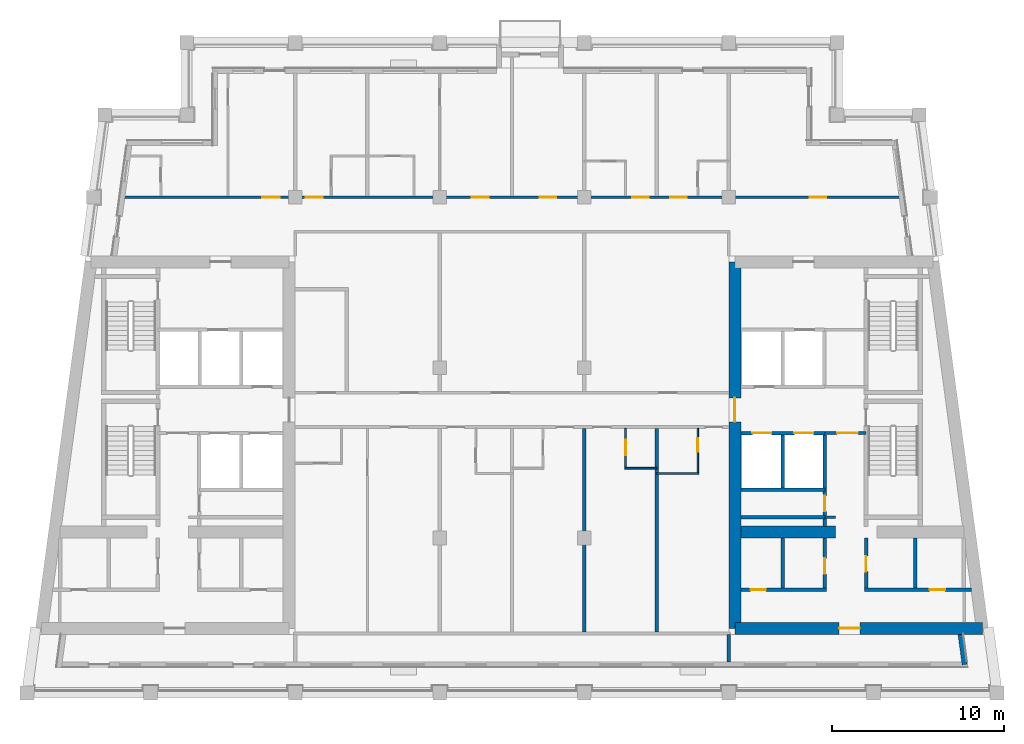
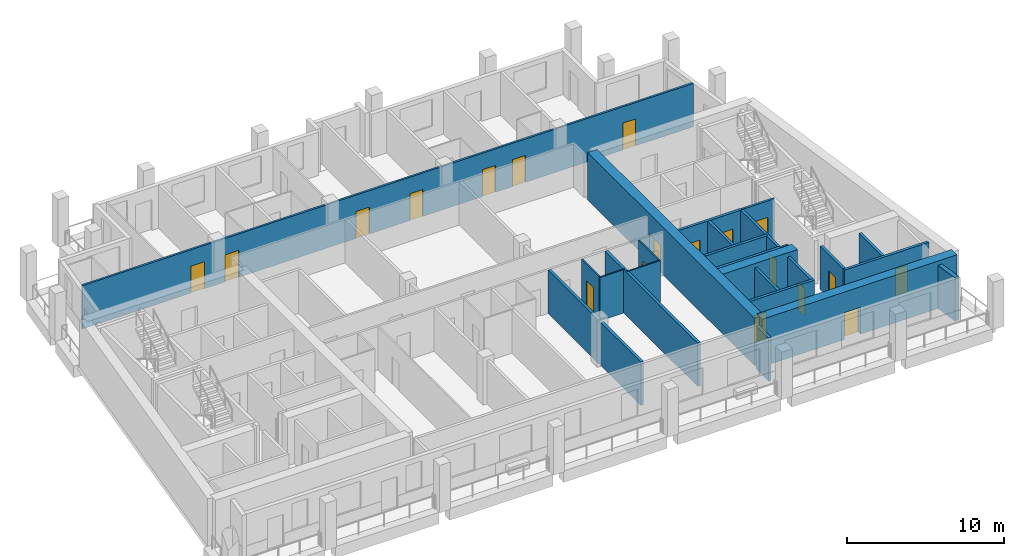
# One storey, part 5 of 13: 25 walls, 19 doors, 19 openings.
"""IFC4 building model written with IfcOpenShell, lengths in metres."""

from ifc_helpers import new_model, si_unit, direction, frame, frame_2d, origin, place, context, subcontext, project, spatial, rectangle, extrude, material, layer, layer_set, type_object, element, fill, save


model = new_model("IFC4")

# Units and contexts
model_context = context("Model", 3, precision=1e-05, world=origin(), true_north=direction((0.0, 1.0)))
body_context = subcontext(model_context, "Body", "Model", "MODEL_VIEW")
ifc_project = project(units=[si_unit("LENGTHUNIT", "METRE"), si_unit("AREAUNIT", "SQUARE_METRE"), si_unit("VOLUMEUNIT", "CUBIC_METRE"), si_unit("PLANEANGLEUNIT", "RADIAN"), si_unit("MASSUNIT", "GRAM", prefix="KILO")], contexts=[model_context])

# Site, building, storey
site_placement = place(None, origin())
site = spatial("IfcSite", under=ifc_project, at=site_placement, CompositionType="ELEMENT")
building_placement = place(site_placement, origin())
building = spatial("IfcBuilding", under=site, at=building_placement, Name="Candeia Pilgrim Tower and Theatre", CompositionType="ELEMENT")
storey_placement = place(building_placement, frame((0.0, 0.0, 277.5)))
storey = spatial("IfcBuildingStorey", under=building, at=storey_placement, Name="L67", CompositionType="ELEMENT", Elevation=277.5)

# Wall, opening, door
ifc_material_1 = material(Name="Concrete C40/50", Category="concrete")
ifc_layer_1 = layer(ifc_material_1, 0.699951171875)
ifc_layer_set_1 = layer_set([ifc_layer_1], Name="Core wall 700 C40/50")
wall_type_1 = type_object("IfcWallType", Name="Core wall 700 C40/50", PredefinedType="SHEAR", material=ifc_layer_set_1)
wall_1_placement = place(storey_placement, frame((140.73046875, 110.75, 0.0), z_axis=(0.0, 0.0, 1.0), x_axis=(-1.0, 0.0, 0.0)))
wall_1 = element("IfcWall", 1, at=wall_1_placement, inside=storey, type_object=wall_type_1, Name="Core wall E3", PredefinedType="SHEAR", context=body_context, shape_type="SweptSolid", body=[
    extrude(rectangle(XDim=14.38037109375, YDim=0.699951171875, at=frame_2d((7.190185546875, 0.0))), origin(), (0.0, 0.0, 1.0), 3.699951171875),
])
opening_1_placement = place(wall_1_placement, frame((7.1201171875, 0.0, 0.0)))
opening_1 = element("IfcOpeningElement", 2, at=opening_1_placement, cuts=wall_1, Name="Opening L67-D047", PredefinedType="OPENING", context=body_context, shape_type="SweptSolid", body=[
    extrude(rectangle(XDim=1.199951171875, YDim=2.10009765625, at=frame_2d((0.60009765625, 1.050048828125))), frame((0.0, 0.35986328125, 0.0), z_axis=(0.0, -1.0, 0.0), x_axis=(1.0, 0.0, 0.0)), (0.0, 0.0, 1.0), 0.719970703125),
])
ifc_material_2 = material(Name="Steel fire door set", Category="steel")
door_type_1 = type_object("IfcDoorType", Name="D-1200-FD60", OperationType="NOTDEFINED", PredefinedType="DOOR", material=ifc_material_2)
door_1_placement = place(opening_1_placement, origin())
door_1 = element("IfcDoor", 3, at=door_1_placement, inside=storey, type_object=door_type_1, Name="Door L67-D047", OperationType="SINGLE_SWING_RIGHT", OverallHeight=2.10009765625, OverallWidth=1.199951171875, PredefinedType="DOOR", context=body_context, shape_type="SweptSolid", body=[
    extrude(rectangle(XDim=1.199951171875, YDim=2.10009765625, at=frame_2d((0.60009765625, 1.050048828125))), frame((0.0, 0.02490234375, 0.0), z_axis=(0.0, -1.0, 0.0), x_axis=(1.0, 0.0, 0.0)), (0.0, 0.0, 1.0), 0.050048828125),
])
fill(opening_1, door_1)

wall_2_placement = place(storey_placement, frame((126.35009765625, 110.75, 0.0), z_axis=(0.0, 0.0, 1.0), x_axis=(0.0, 1.0, 0.0)))
wall_2 = element("IfcWall", 4, at=wall_2_placement, inside=storey, type_object=wall_type_1, Name="Core wall E4", PredefinedType="SHEAR", context=body_context, shape_type="SweptSolid", body=[
    extrude(rectangle(XDim=21.300048828125, YDim=0.699951171875, at=frame_2d((10.64990234375, 0.0))), origin(), (0.0, 0.0, 1.0), 3.699951171875),
])
opening_2_placement = place(wall_2_placement, frame((12.0, 0.0, 0.0)))
opening_2 = element("IfcOpeningElement", 5, at=opening_2_placement, cuts=wall_2, Name="Opening L67-D051", PredefinedType="OPENING", context=body_context, shape_type="SweptSolid", body=[
    extrude(rectangle(XDim=1.39990234375, YDim=2.10009765625, at=frame_2d((0.699951171875, 1.050048828125))), frame((0.0, 0.35986328125, 0.0), z_axis=(0.0, -1.0, 0.0), x_axis=(1.0, 0.0, 0.0)), (0.0, 0.0, 1.0), 0.719970703125),
])
door_type_2 = type_object("IfcDoorType", Name="D-1400-FD60", OperationType="NOTDEFINED", PredefinedType="DOOR", material=ifc_material_2)
door_2_placement = place(opening_2_placement, origin())
door_2 = element("IfcDoor", 6, at=door_2_placement, inside=storey, type_object=door_type_2, Name="Door L67-D051", OperationType="SINGLE_SWING_RIGHT", OverallHeight=2.10009765625, OverallWidth=1.39990234375, PredefinedType="DOOR", context=body_context, shape_type="SweptSolid", body=[
    extrude(rectangle(XDim=1.39990234375, YDim=2.10009765625, at=frame_2d((0.699951171875, 1.050048828125))), frame((0.0, 0.02490234375, 0.0), z_axis=(0.0, -1.0, 0.0), x_axis=(1.0, 0.0, 0.0)), (0.0, 0.0, 1.0), 0.050048828125),
])
fill(opening_2, door_2)

# Walls
wall_3_placement = place(storey_placement, frame((126.699951171875, 116.35009765625, 0.0), z_axis=(0.0, 0.0, 1.0), x_axis=(1.0, 0.0, 0.0)))
element("IfcWall", 7, at=wall_3_placement, inside=storey, type_object=wall_type_1, Name="Core wall E5", PredefinedType="SHEAR", context=body_context, shape_type="SweptSolid", body=[
    extrude(rectangle(XDim=5.5, YDim=0.699951171875, at=frame_2d((2.75, 0.0))), origin(), (0.0, 0.0, 1.0), 3.699951171875),
])
ifc_material_3 = material(Name="Ceramic block masonry", Category="masonry")
ifc_layer_2 = layer(ifc_material_3, 0.300048828125)
ifc_layer_set_2 = layer_set([ifc_layer_2], Name="EW1 glazing-line wall 300")
wall_type_2 = type_object("IfcWallType", Name="EW1 glazing-line wall 300", PredefinedType="SOLIDWALL", material=ifc_layer_set_2)
wall_4_placement = place(storey_placement, frame((139.701416015625, 108.64990234375, 0.0), z_axis=(0.0, 0.0, 1.0), x_axis=(-0.133422458344, 0.991059255347, 0.0)))
element("IfcWall", 8, at=wall_4_placement, inside=storey, type_object=wall_type_2, Name="External wall L67-2.0", PredefinedType="SOLIDWALL", context=body_context, shape_type="SweptSolid", body=[
    extrude(rectangle(XDim=1.765869140625, YDim=0.300048828125, at=frame_2d((0.8828125, 0.0))), origin(), (0.0, 0.0, 1.0), 3.3798828125),
])
ifc_material_4 = material(Name="Gypsum board partition on steel studs", Category="steel")
ifc_layer_3 = layer(ifc_material_4, 0.10009765625)
ifc_layer_set_3 = layer_set([ifc_layer_3], Name="PW-100 room partition")
wall_type_3 = type_object("IfcWallType", Name="PW-100 room partition", PredefinedType="PARTITIONING", material=ifc_layer_set_3)
wall_5_placement = place(storey_placement, frame((121.800048828125, 119.75, 0.0), z_axis=(0.0, 0.0, 1.0), x_axis=(1.0, 0.0, 0.0)))
element("IfcWall", 9, at=wall_5_placement, inside=storey, type_object=wall_type_3, Name="Room partition L67-015", PredefinedType="PARTITIONING", context=body_context, shape_type="SweptSolid", body=[
    extrude(rectangle(XDim=2.449951171875, YDim=0.10009765625, at=frame_2d((1.22509765625, 0.0))), origin(), (0.0, 0.0, 1.0), 3.3798828125),
])
wall_6_placement = place(storey_placement, frame((119.949951171875, 120.050048828125, 0.0), z_axis=(0.0, 0.0, 1.0), x_axis=(1.0, 0.0, 0.0)))
element("IfcWall", 10, at=wall_6_placement, inside=storey, type_object=wall_type_3, Name="Room partition L67-017", PredefinedType="PARTITIONING", context=body_context, shape_type="SweptSolid", body=[
    extrude(rectangle(XDim=1.85009765625, YDim=0.10009765625, at=frame_2d((0.925048828125, 0.0))), origin(), (0.0, 0.0, 1.0), 3.3798828125),
])

# Wall, opening, door
wall_7_placement = place(storey_placement, frame((120.0, 120.10009765625, 0.0), z_axis=(0.0, 0.0, 1.0), x_axis=(0.0, 1.0, 0.0)))
wall_7 = element("IfcWall", 11, at=wall_7_placement, inside=storey, type_object=wall_type_3, Name="Room partition L67-080", PredefinedType="PARTITIONING", context=body_context, shape_type="SweptSolid", body=[
    extrude(rectangle(XDim=2.27490234375, YDim=0.10009765625, at=frame_2d((1.137451171875, 0.0))), origin(), (0.0, 0.0, 1.0), 3.3798828125),
])
opening_3_placement = place(wall_7_placement, frame((0.699951171875, 0.0, 0.0)))
opening_3 = element("IfcOpeningElement", 12, at=opening_3_placement, cuts=wall_7, Name="Opening L67-D025", PredefinedType="OPENING", context=body_context, shape_type="SweptSolid", body=[
    extrude(rectangle(XDim=0.89990234375, YDim=2.10009765625, at=frame_2d((0.449951171875, 1.050048828125))), frame((0.0, 0.06005859375, 0.0), z_axis=(0.0, -1.0, 0.0), x_axis=(1.0, 0.0, 0.0)), (0.0, 0.0, 1.0), 0.1201171875),
])
ifc_material_5 = material(Name="Timber door leaf", Category="wood")
door_type_3 = type_object("IfcDoorType", Name="D-900", OperationType="NOTDEFINED", PredefinedType="DOOR", material=ifc_material_5)
door_3_placement = place(opening_3_placement, origin())
door_3 = element("IfcDoor", 13, at=door_3_placement, inside=storey, type_object=door_type_3, Name="Door L67-D025", OperationType="SINGLE_SWING_RIGHT", OverallHeight=2.10009765625, OverallWidth=0.89990234375, PredefinedType="DOOR", context=body_context, shape_type="SweptSolid", body=[
    extrude(rectangle(XDim=0.89990234375, YDim=2.10009765625, at=frame_2d((0.449951171875, 1.050048828125))), frame((0.0, 0.02490234375, 0.0), z_axis=(0.0, -1.0, 0.0), x_axis=(1.0, 0.0, 0.0)), (0.0, 0.0, 1.0), 0.050048828125),
])
fill(opening_3, door_3)

wall_8_placement = place(storey_placement, frame((124.199951171875, 119.800048828125, 0.0), z_axis=(0.0, 0.0, 1.0), x_axis=(0.0, 1.0, 0.0)))
wall_8 = element("IfcWall", 14, at=wall_8_placement, inside=storey, type_object=wall_type_3, Name="Room partition L67-084", PredefinedType="PARTITIONING", context=body_context, shape_type="SweptSolid", body=[
    extrude(rectangle(XDim=2.574951171875, YDim=0.10009765625, at=frame_2d((1.28759765625, 0.0))), origin(), (0.0, 0.0, 1.0), 3.3798828125),
])
opening_4_placement = place(wall_8_placement, frame((1.199951171875, 0.0, 0.0)))
opening_4 = element("IfcOpeningElement", 15, at=opening_4_placement, cuts=wall_8, Name="Opening L67-D027", PredefinedType="OPENING", context=body_context, shape_type="SweptSolid", body=[
    extrude(rectangle(XDim=0.800048828125, YDim=2.10009765625, at=frame_2d((0.39990234375, 1.050048828125))), frame((0.0, 0.06005859375, 0.0), z_axis=(0.0, -1.0, 0.0), x_axis=(1.0, 0.0, 0.0)), (0.0, 0.0, 1.0), 0.1201171875),
])
door_type_4 = type_object("IfcDoorType", Name="D-800", OperationType="NOTDEFINED", PredefinedType="DOOR", material=ifc_material_5)
door_4_placement = place(opening_4_placement, origin())
door_4 = element("IfcDoor", 16, at=door_4_placement, inside=storey, type_object=door_type_4, Name="Door L67-D027", OperationType="SINGLE_SWING_RIGHT", OverallHeight=2.10009765625, OverallWidth=0.800048828125, PredefinedType="DOOR", context=body_context, shape_type="SweptSolid", body=[
    extrude(rectangle(XDim=0.800048828125, YDim=2.10009765625, at=frame_2d((0.39990234375, 1.050048828125))), frame((0.0, 0.02490234375, 0.0), z_axis=(0.0, -1.0, 0.0), x_axis=(1.0, 0.0, 0.0)), (0.0, 0.0, 1.0), 0.050048828125),
])
fill(opening_4, door_4)

# Wall
ifc_layer_4 = layer(ifc_material_4, 0.14990234375)
ifc_layer_set_4 = layer_set([ifc_layer_4], Name="PW-150 lobby wall")
wall_type_4 = type_object("IfcWallType", Name="PW-150 lobby wall", PredefinedType="PARTITIONING", material=ifc_layer_set_4)
wall_9_placement = place(storey_placement, frame((131.572998046875, 117.199951171875, 0.0), z_axis=(0.0, 0.0, 1.0), x_axis=(1.0, 0.0, 0.0)))
element("IfcWall", 17, at=wall_9_placement, inside=storey, type_object=wall_type_4, Name="Lobby wall L67-009", PredefinedType="PARTITIONING", context=body_context, shape_type="SweptSolid", body=[
    extrude(rectangle(XDim=0.626953125, YDim=0.14990234375, at=frame_2d((0.3134765625, 0.0))), origin(), (0.0, 0.0, 1.0), 3.3798828125),
])

# Wall, opening, door
wall_10_placement = place(storey_placement, frame((131.572998046875, 122.10009765625, 0.0), z_axis=(0.0, 0.0, 1.0), x_axis=(1.0, 0.0, 0.0)))
wall_10 = element("IfcWall", 18, at=wall_10_placement, inside=storey, type_object=wall_type_4, Name="Lobby wall L67-022", PredefinedType="PARTITIONING", context=body_context, shape_type="SweptSolid", body=[
    extrude(rectangle(XDim=2.39990234375, YDim=0.14990234375, at=frame_2d((1.199951171875, 0.0))), origin(), (0.0, 0.0, 1.0), 3.3798828125),
])
opening_5_placement = place(wall_10_placement, frame((0.72509765625, 0.0, 0.0)))
opening_5 = element("IfcOpeningElement", 19, at=opening_5_placement, cuts=wall_10, Name="Opening L67-D009", PredefinedType="OPENING", context=body_context, shape_type="SweptSolid", body=[
    extrude(rectangle(XDim=1.199951171875, YDim=2.10009765625, at=frame_2d((0.60009765625, 1.050048828125))), frame((0.0, 0.0849609375, 0.0), z_axis=(0.0, -1.0, 0.0), x_axis=(1.0, 0.0, 0.0)), (0.0, 0.0, 1.0), 0.169921875),
])
door_5_placement = place(opening_5_placement, origin())
door_5 = element("IfcDoor", 20, at=door_5_placement, inside=storey, type_object=door_type_1, Name="Door L67-D009", OperationType="SINGLE_SWING_RIGHT", OverallHeight=2.10009765625, OverallWidth=1.199951171875, PredefinedType="DOOR", context=body_context, shape_type="SweptSolid", body=[
    extrude(rectangle(XDim=1.199951171875, YDim=2.10009765625, at=frame_2d((0.60009765625, 1.050048828125))), frame((0.0, 0.02490234375, 0.0), z_axis=(0.0, -1.0, 0.0), x_axis=(1.0, 0.0, 0.0)), (0.0, 0.0, 1.0), 0.050048828125),
])
fill(opening_5, door_5)

# Wall, openings, doors
ifc_layer_5 = layer(ifc_material_4, 0.14990234375)
ifc_layer_set_5 = layer_set([ifc_layer_5], Name="PW-150 unit wall")
wall_type_5 = type_object("IfcWallType", Name="PW-150 unit wall", PredefinedType="PARTITIONING", material=ifc_layer_set_5)
wall_11_placement = place(storey_placement, frame((90.89453125, 135.800048828125, 0.0), z_axis=(0.0, 0.0, 1.0), x_axis=(1.0, 0.0, 0.0)))
wall_11 = element("IfcWall", 21, at=wall_11_placement, inside=storey, type_object=wall_type_5, Name="Unit wall L67-039", PredefinedType="PARTITIONING", context=body_context, shape_type="SweptSolid", body=[
    extrude(rectangle(XDim=45.010986328125, YDim=0.14990234375, at=frame_2d((22.50537109375, 0.0))), origin(), (0.0, 0.0, 1.0), 3.3798828125),
])
opening_6_placement = place(wall_11_placement, frame((8.00537109375, 0.0, 0.0)))
opening_6 = element("IfcOpeningElement", 22, at=opening_6_placement, cuts=wall_11, Name="Opening L67-D028", PredefinedType="OPENING", context=body_context, shape_type="SweptSolid", body=[
    extrude(rectangle(XDim=1.0, YDim=2.10009765625, at=frame_2d((0.5, 1.050048828125))), frame((0.0, 0.0849609375, 0.0), z_axis=(0.0, -1.0, 0.0), x_axis=(1.0, 0.0, 0.0)), (0.0, 0.0, 1.0), 0.169921875),
])
opening_7_placement = place(wall_11_placement, frame((10.515380859375, 0.0, 0.0)))
opening_7 = element("IfcOpeningElement", 23, at=opening_7_placement, cuts=wall_11, Name="Opening L67-D031", PredefinedType="OPENING", context=body_context, shape_type="SweptSolid", body=[
    extrude(rectangle(XDim=1.0, YDim=2.10009765625, at=frame_2d((0.5, 1.050048828125))), frame((0.0, 0.0849609375, 0.0), z_axis=(0.0, -1.0, 0.0), x_axis=(1.0, 0.0, 0.0)), (0.0, 0.0, 1.0), 0.169921875),
])
opening_8_placement = place(wall_11_placement, frame((20.155517578125, 0.0, 0.0)))
opening_8 = element("IfcOpeningElement", 24, at=opening_8_placement, cuts=wall_11, Name="Opening L67-D033", PredefinedType="OPENING", context=body_context, shape_type="SweptSolid", body=[
    extrude(rectangle(XDim=1.0, YDim=2.10009765625, at=frame_2d((0.5, 1.050048828125))), frame((0.0, 0.0849609375, 0.0), z_axis=(0.0, -1.0, 0.0), x_axis=(1.0, 0.0, 0.0)), (0.0, 0.0, 1.0), 0.169921875),
])
opening_9_placement = place(wall_11_placement, frame((24.13037109375, 0.0, 0.0)))
opening_9 = element("IfcOpeningElement", 25, at=opening_9_placement, cuts=wall_11, Name="Opening L67-D036", PredefinedType="OPENING", context=body_context, shape_type="SweptSolid", body=[
    extrude(rectangle(XDim=0.949951171875, YDim=2.10009765625, at=frame_2d((0.47509765625, 1.050048828125))), frame((0.0, 0.0849609375, 0.0), z_axis=(0.0, -1.0, 0.0), x_axis=(1.0, 0.0, 0.0)), (0.0, 0.0, 1.0), 0.169921875),
])
opening_10_placement = place(wall_11_placement, frame((29.492431640625, 0.0, 0.0)))
opening_10 = element("IfcOpeningElement", 26, at=opening_10_placement, cuts=wall_11, Name="Opening L67-D037", PredefinedType="OPENING", context=body_context, shape_type="SweptSolid", body=[
    extrude(rectangle(XDim=0.949951171875, YDim=2.10009765625, at=frame_2d((0.47509765625, 1.050048828125))), frame((0.0, 0.0849609375, 0.0), z_axis=(0.0, -1.0, 0.0), x_axis=(1.0, 0.0, 0.0)), (0.0, 0.0, 1.0), 0.169921875),
])
opening_11_placement = place(wall_11_placement, frame((31.705322265625, 0.0, 0.0)))
opening_11 = element("IfcOpeningElement", 27, at=opening_11_placement, cuts=wall_11, Name="Opening L67-D039", PredefinedType="OPENING", context=body_context, shape_type="SweptSolid", body=[
    extrude(rectangle(XDim=0.949951171875, YDim=2.10009765625, at=frame_2d((0.47509765625, 1.050048828125))), frame((0.0, 0.0849609375, 0.0), z_axis=(0.0, -1.0, 0.0), x_axis=(1.0, 0.0, 0.0)), (0.0, 0.0, 1.0), 0.169921875),
])
opening_12_placement = place(wall_11_placement, frame((39.814453125, 0.0, 0.0)))
opening_12 = element("IfcOpeningElement", 28, at=opening_12_placement, cuts=wall_11, Name="Opening L67-D041", PredefinedType="OPENING", context=body_context, shape_type="SweptSolid", body=[
    extrude(rectangle(XDim=0.949951171875, YDim=2.10009765625, at=frame_2d((0.47509765625, 1.050048828125))), frame((0.0, 0.0849609375, 0.0), z_axis=(0.0, -1.0, 0.0), x_axis=(1.0, 0.0, 0.0)), (0.0, 0.0, 1.0), 0.169921875),
])
door_type_5 = type_object("IfcDoorType", Name="D-1000-FD30S", OperationType="NOTDEFINED", PredefinedType="DOOR", material=ifc_material_2)
door_6_placement = place(opening_6_placement, origin())
door_6 = element("IfcDoor", 29, at=door_6_placement, inside=storey, type_object=door_type_5, Name="Door L67-D028", OperationType="SINGLE_SWING_LEFT", OverallHeight=2.10009765625, OverallWidth=1.0, PredefinedType="DOOR", context=body_context, shape_type="SweptSolid", body=[
    extrude(rectangle(XDim=1.0, YDim=2.10009765625, at=frame_2d((0.5, 1.050048828125))), frame((0.0, 0.02490234375, 0.0), z_axis=(0.0, -1.0, 0.0), x_axis=(1.0, 0.0, 0.0)), (0.0, 0.0, 1.0), 0.050048828125),
])
fill(opening_6, door_6)
door_7_placement = place(opening_7_placement, origin())
door_7 = element("IfcDoor", 30, at=door_7_placement, inside=storey, type_object=door_type_5, Name="Door L67-D031", OperationType="SINGLE_SWING_RIGHT", OverallHeight=2.10009765625, OverallWidth=1.0, PredefinedType="DOOR", context=body_context, shape_type="SweptSolid", body=[
    extrude(rectangle(XDim=1.0, YDim=2.10009765625, at=frame_2d((0.5, 1.050048828125))), frame((0.0, 0.02490234375, 0.0), z_axis=(0.0, -1.0, 0.0), x_axis=(1.0, 0.0, 0.0)), (0.0, 0.0, 1.0), 0.050048828125),
])
fill(opening_7, door_7)
door_8_placement = place(opening_8_placement, origin())
door_8 = element("IfcDoor", 31, at=door_8_placement, inside=storey, type_object=door_type_5, Name="Door L67-D033", OperationType="SINGLE_SWING_RIGHT", OverallHeight=2.10009765625, OverallWidth=1.0, PredefinedType="DOOR", context=body_context, shape_type="SweptSolid", body=[
    extrude(rectangle(XDim=1.0, YDim=2.10009765625, at=frame_2d((0.5, 1.050048828125))), frame((0.0, 0.02490234375, 0.0), z_axis=(0.0, -1.0, 0.0), x_axis=(1.0, 0.0, 0.0)), (0.0, 0.0, 1.0), 0.050048828125),
])
fill(opening_8, door_8)
door_type_6 = type_object("IfcDoorType", Name="D-950-FD30S", OperationType="NOTDEFINED", PredefinedType="DOOR", material=ifc_material_2)
door_9_placement = place(opening_9_placement, origin())
door_9 = element("IfcDoor", 32, at=door_9_placement, inside=storey, type_object=door_type_6, Name="Door L67-D036", OperationType="SINGLE_SWING_LEFT", OverallHeight=2.10009765625, OverallWidth=0.949951171875, PredefinedType="DOOR", context=body_context, shape_type="SweptSolid", body=[
    extrude(rectangle(XDim=0.949951171875, YDim=2.10009765625, at=frame_2d((0.47509765625, 1.050048828125))), frame((0.0, 0.02490234375, 0.0), z_axis=(0.0, -1.0, 0.0), x_axis=(1.0, 0.0, 0.0)), (0.0, 0.0, 1.0), 0.050048828125),
])
fill(opening_9, door_9)
door_10_placement = place(opening_10_placement, origin())
door_10 = element("IfcDoor", 33, at=door_10_placement, inside=storey, type_object=door_type_6, Name="Door L67-D037", OperationType="SINGLE_SWING_RIGHT", OverallHeight=2.10009765625, OverallWidth=0.949951171875, PredefinedType="DOOR", context=body_context, shape_type="SweptSolid", body=[
    extrude(rectangle(XDim=0.949951171875, YDim=2.10009765625, at=frame_2d((0.47509765625, 1.050048828125))), frame((0.0, 0.02490234375, 0.0), z_axis=(0.0, -1.0, 0.0), x_axis=(1.0, 0.0, 0.0)), (0.0, 0.0, 1.0), 0.050048828125),
])
fill(opening_10, door_10)
door_11_placement = place(opening_11_placement, origin())
door_11 = element("IfcDoor", 34, at=door_11_placement, inside=storey, type_object=door_type_6, Name="Door L67-D039", OperationType="SINGLE_SWING_RIGHT", OverallHeight=2.10009765625, OverallWidth=0.949951171875, PredefinedType="DOOR", context=body_context, shape_type="SweptSolid", body=[
    extrude(rectangle(XDim=0.949951171875, YDim=2.10009765625, at=frame_2d((0.47509765625, 1.050048828125))), frame((0.0, 0.02490234375, 0.0), z_axis=(0.0, -1.0, 0.0), x_axis=(1.0, 0.0, 0.0)), (0.0, 0.0, 1.0), 0.050048828125),
])
fill(opening_11, door_11)
door_12_placement = place(opening_12_placement, origin())
door_12 = element("IfcDoor", 35, at=door_12_placement, inside=storey, type_object=door_type_6, Name="Door L67-D041", OperationType="SINGLE_SWING_RIGHT", OverallHeight=2.10009765625, OverallWidth=0.949951171875, PredefinedType="DOOR", context=body_context, shape_type="SweptSolid", body=[
    extrude(rectangle(XDim=0.949951171875, YDim=2.10009765625, at=frame_2d((0.47509765625, 1.050048828125))), frame((0.0, 0.02490234375, 0.0), z_axis=(0.0, -1.0, 0.0), x_axis=(1.0, 0.0, 0.0)), (0.0, 0.0, 1.0), 0.050048828125),
])
fill(opening_12, door_12)

# Walls
ifc_layer_6 = layer(ifc_material_4, 0.199951171875)
ifc_layer_set_6 = layer_set([ifc_layer_6], Name="PW-200 party wall")
wall_type_6 = type_object("IfcWallType", Name="PW-200 party wall", PredefinedType="PARTITIONING", material=ifc_layer_set_6)
for number, where, z_axis, x_axis, name in (
    (36, (117.60009765625, 110.550048828125, 0.0), (0.0, 0.0, 1.0), (0.0, 1.0, 0.0), "Party wall L67-077"),
    (37, (121.800048828125, 110.550048828125, 0.0), (0.0, 0.0, 1.0), (0.0, 1.0, 0.0), "Party wall L67-082"),
):
    element("IfcWall", number, at=place(storey_placement, frame(where, z_axis=z_axis, x_axis=x_axis)), inside=storey, type_object=wall_type_6, Name=name, PredefinedType="PARTITIONING", context=body_context, shape_type="SweptSolid", body=[
        extrude(rectangle(XDim=11.824951171875, YDim=0.199951171875, at=frame_2d((5.91259765625, 0.0))), origin(), (0.0, 0.0, 1.0), 3.3798828125),
    ])
wall_12_placement = place(storey_placement, frame((126.0, 108.7900390625, 0.0), z_axis=(0.0, 0.0, 1.0), x_axis=(0.0, 1.0, 0.0)))
element("IfcWall", 38, at=wall_12_placement, inside=storey, type_object=wall_type_6, Name="Party wall L67-086", PredefinedType="PARTITIONING", context=body_context, shape_type="SweptSolid", body=[
    extrude(rectangle(XDim=1.60986328125, YDim=0.199951171875, at=frame_2d((0.804931640625, 0.0))), origin(), (0.0, 0.0, 1.0), 3.3798828125),
])

# Wall, opening, door
ifc_layer_7 = layer(ifc_material_1, 0.199951171875)
ifc_layer_set_7 = layer_set([ifc_layer_7], Name="SW-200 shaft wall")
wall_type_7 = type_object("IfcWallType", Name="SW-200 shaft wall", PredefinedType="PARTITIONING", material=ifc_layer_set_7)
wall_13_placement = place(storey_placement, frame((126.699951171875, 113.0, 0.0), z_axis=(0.0, 0.0, 1.0), x_axis=(1.0, 0.0, 0.0)))
wall_13 = element("IfcWall", 39, at=wall_13_placement, inside=storey, type_object=wall_type_7, Name="Shaft wall L67-004", PredefinedType="PARTITIONING", context=body_context, shape_type="SweptSolid", body=[
    extrude(rectangle(XDim=4.97314453125, YDim=0.199951171875, at=frame_2d((2.486572265625, 0.0))), origin(), (0.0, 0.0, 1.0), 3.3798828125),
])
opening_13_placement = place(wall_13_placement, frame((0.55908203125, 0.0, 0.0)))
opening_13 = element("IfcOpeningElement", 40, at=opening_13_placement, cuts=wall_13, Name="Opening L67-D016", PredefinedType="OPENING", context=body_context, shape_type="SweptSolid", body=[
    extrude(rectangle(XDim=0.89990234375, YDim=2.10009765625, at=frame_2d((0.449951171875, 1.050048828125))), frame((0.0, 0.10986328125, 0.0), z_axis=(0.0, -1.0, 0.0), x_axis=(1.0, 0.0, 0.0)), (0.0, 0.0, 1.0), 0.219970703125),
])
door_type_7 = type_object("IfcDoorType", Name="D-900-FD60", OperationType="NOTDEFINED", PredefinedType="DOOR", material=ifc_material_2)
door_13_placement = place(opening_13_placement, origin())
door_13 = element("IfcDoor", 41, at=door_13_placement, inside=storey, type_object=door_type_7, Name="Door L67-D016", OperationType="SINGLE_SWING_LEFT", OverallHeight=2.10009765625, OverallWidth=0.89990234375, PredefinedType="DOOR", context=body_context, shape_type="SweptSolid", body=[
    extrude(rectangle(XDim=0.89990234375, YDim=2.10009765625, at=frame_2d((0.449951171875, 1.050048828125))), frame((0.0, 0.02490234375, 0.0), z_axis=(0.0, -1.0, 0.0), x_axis=(1.0, 0.0, 0.0)), (0.0, 0.0, 1.0), 0.050048828125),
])
fill(opening_13, door_13)

wall_14_placement = place(storey_placement, frame((133.873046875, 113.0, 0.0), z_axis=(0.0, 0.0, 1.0), x_axis=(1.0, 0.0, 0.0)))
wall_14 = element("IfcWall", 42, at=wall_14_placement, inside=storey, type_object=wall_type_7, Name="Shaft wall L67-005", PredefinedType="PARTITIONING", context=body_context, shape_type="SweptSolid", body=[
    extrude(rectangle(XDim=6.2314453125, YDim=0.199951171875, at=frame_2d((3.11572265625, 0.0))), origin(), (0.0, 0.0, 1.0), 3.3798828125),
])
opening_14_placement = place(wall_14_placement, frame((3.800048828125, 0.0, 0.0)))
opening_14 = element("IfcOpeningElement", 43, at=opening_14_placement, cuts=wall_14, Name="Opening L67-D013", PredefinedType="OPENING", context=body_context, shape_type="SweptSolid", body=[
    extrude(rectangle(XDim=0.89990234375, YDim=2.10009765625, at=frame_2d((0.449951171875, 1.050048828125))), frame((0.0, 0.10986328125, 0.0), z_axis=(0.0, -1.0, 0.0), x_axis=(1.0, 0.0, 0.0)), (0.0, 0.0, 1.0), 0.219970703125),
])
door_14_placement = place(opening_14_placement, origin())
door_14 = element("IfcDoor", 44, at=door_14_placement, inside=storey, type_object=door_type_7, Name="Door L67-D013", OperationType="SINGLE_SWING_RIGHT", OverallHeight=2.10009765625, OverallWidth=0.89990234375, PredefinedType="DOOR", context=body_context, shape_type="SweptSolid", body=[
    extrude(rectangle(XDim=0.89990234375, YDim=2.10009765625, at=frame_2d((0.449951171875, 1.050048828125))), frame((0.0, 0.02490234375, 0.0), z_axis=(0.0, -1.0, 0.0), x_axis=(1.0, 0.0, 0.0)), (0.0, 0.0, 1.0), 0.050048828125),
])
fill(opening_14, door_14)

# Walls
for number, where, z_axis, x_axis, name in (
    (45, (126.699951171875, 117.199951171875, 0.0), (0.0, 0.0, 1.0), (1.0, 0.0, 0.0), "Shaft wall L67-007"),
    (46, (126.699951171875, 118.800048828125, 0.0), (0.0, 0.0, 1.0), (1.0, 0.0, 0.0), "Shaft wall L67-013"),
):
    element("IfcWall", number, at=place(storey_placement, frame(where, z_axis=z_axis, x_axis=x_axis)), inside=storey, type_object=wall_type_7, Name=name, PredefinedType="PARTITIONING", context=body_context, shape_type="SweptSolid", body=[
        extrude(rectangle(XDim=4.873046875, YDim=0.199951171875, at=frame_2d((2.4365234375, 0.0))), origin(), (0.0, 0.0, 1.0), 3.3798828125),
    ])

# Wall, openings, doors
wall_15_placement = place(storey_placement, frame((126.699951171875, 122.10009765625, 0.0), z_axis=(0.0, 0.0, 1.0), x_axis=(1.0, 0.0, 0.0)))
wall_15 = element("IfcWall", 47, at=wall_15_placement, inside=storey, type_object=wall_type_7, Name="Shaft wall L67-020", PredefinedType="PARTITIONING", context=body_context, shape_type="SweptSolid", body=[
    extrude(rectangle(XDim=4.873046875, YDim=0.199951171875, at=frame_2d((2.4365234375, 0.0))), origin(), (0.0, 0.0, 1.0), 3.3798828125),
])
opening_15_placement = place(wall_15_placement, frame((3.10498046875, 0.0, 0.0)))
opening_15 = element("IfcOpeningElement", 48, at=opening_15_placement, cuts=wall_15, Name="Opening L67-LD05", PredefinedType="OPENING", context=body_context, shape_type="SweptSolid", body=[
    extrude(rectangle(XDim=1.10009765625, YDim=2.10009765625, at=frame_2d((0.550048828125, 1.050048828125))), frame((0.0, 0.10986328125, 0.0), z_axis=(0.0, -1.0, 0.0), x_axis=(1.0, 0.0, 0.0)), (0.0, 0.0, 1.0), 0.219970703125),
])
opening_16_placement = place(wall_15_placement, frame((0.66796875, 0.0, 0.0)))
opening_16 = element("IfcOpeningElement", 49, at=opening_16_placement, cuts=wall_15, Name="Opening L67-LD06", PredefinedType="OPENING", context=body_context, shape_type="SweptSolid", body=[
    extrude(rectangle(XDim=1.10009765625, YDim=2.10009765625, at=frame_2d((0.550048828125, 1.050048828125))), frame((0.0, 0.10986328125, 0.0), z_axis=(0.0, -1.0, 0.0), x_axis=(1.0, 0.0, 0.0)), (0.0, 0.0, 1.0), 0.219970703125),
])
ifc_material_6 = material(Name="Glazed aluminium landing door", Category="aluminium")
door_type_8 = type_object("IfcDoorType", Name="LD-1100-EI120", OperationType="SLIDING_TO_LEFT", PredefinedType="DOOR", material=ifc_material_6)
door_15_placement = place(opening_15_placement, origin())
door_15 = element("IfcDoor", 50, at=door_15_placement, inside=storey, type_object=door_type_8, Name="Landing door 05 L67", OperationType="SLIDING_TO_LEFT", OverallHeight=2.10009765625, OverallWidth=1.10009765625, PredefinedType="DOOR", context=body_context, shape_type="SweptSolid", body=[
    extrude(rectangle(XDim=1.10009765625, YDim=2.10009765625, at=frame_2d((0.550048828125, 1.050048828125))), frame((0.0, 0.02490234375, 0.0), z_axis=(0.0, -1.0, 0.0), x_axis=(1.0, 0.0, 0.0)), (0.0, 0.0, 1.0), 0.050048828125),
])
fill(opening_15, door_15)
door_16_placement = place(opening_16_placement, origin())
door_16 = element("IfcDoor", 51, at=door_16_placement, inside=storey, type_object=door_type_8, Name="Landing door 06 L67", OperationType="SLIDING_TO_LEFT", OverallHeight=2.10009765625, OverallWidth=1.10009765625, PredefinedType="DOOR", context=body_context, shape_type="SweptSolid", body=[
    extrude(rectangle(XDim=1.10009765625, YDim=2.10009765625, at=frame_2d((0.550048828125, 1.050048828125))), frame((0.0, 0.02490234375, 0.0), z_axis=(0.0, -1.0, 0.0), x_axis=(1.0, 0.0, 0.0)), (0.0, 0.0, 1.0), 0.050048828125),
])
fill(opening_16, door_16)

# Walls
wall_16_placement = place(storey_placement, frame((129.136474609375, 113.10009765625, 0.0), z_axis=(0.0, 0.0, 1.0), x_axis=(0.0, 1.0, 0.0)))
element("IfcWall", 52, at=wall_16_placement, inside=storey, type_object=wall_type_7, Name="Shaft wall L67-090", PredefinedType="PARTITIONING", context=body_context, shape_type="SweptSolid", body=[
    extrude(rectangle(XDim=2.89990234375, YDim=0.199951171875, at=frame_2d((1.449951171875, 0.0))), origin(), (0.0, 0.0, 1.0), 3.3798828125),
])
wall_17_placement = place(storey_placement, frame((129.136474609375, 118.89990234375, 0.0), z_axis=(0.0, 0.0, 1.0), x_axis=(0.0, 1.0, 0.0)))
element("IfcWall", 53, at=wall_17_placement, inside=storey, type_object=wall_type_7, Name="Shaft wall L67-091", PredefinedType="PARTITIONING", context=body_context, shape_type="SweptSolid", body=[
    extrude(rectangle(XDim=3.10009765625, YDim=0.199951171875, at=frame_2d((1.550048828125, 0.0))), origin(), (0.0, 0.0, 1.0), 3.3798828125),
])

# Wall, opening, door
wall_18_placement = place(storey_placement, frame((131.572998046875, 113.10009765625, 0.0), z_axis=(0.0, 0.0, 1.0), x_axis=(0.0, 1.0, 0.0)))
wall_18 = element("IfcWall", 54, at=wall_18_placement, inside=storey, type_object=wall_type_7, Name="Shaft wall L67-093", PredefinedType="PARTITIONING", context=body_context, shape_type="SweptSolid", body=[
    extrude(rectangle(XDim=2.89990234375, YDim=0.199951171875, at=frame_2d((1.449951171875, 0.0))), origin(), (0.0, 0.0, 1.0), 3.3798828125),
])
opening_17_placement = place(wall_18_placement, frame((0.81005859375, 0.0, 0.0)))
opening_17 = element("IfcOpeningElement", 55, at=opening_17_placement, cuts=wall_18, Name="Opening L67-D015", PredefinedType="OPENING", context=body_context, shape_type="SweptSolid", body=[
    extrude(rectangle(XDim=0.89990234375, YDim=2.10009765625, at=frame_2d((0.449951171875, 1.050048828125))), frame((0.0, 0.10986328125, 0.0), z_axis=(0.0, -1.0, 0.0), x_axis=(1.0, 0.0, 0.0)), (0.0, 0.0, 1.0), 0.219970703125),
])
door_17_placement = place(opening_17_placement, origin())
door_17 = element("IfcDoor", 56, at=door_17_placement, inside=storey, type_object=door_type_7, Name="Door L67-D015", OperationType="SINGLE_SWING_RIGHT", OverallHeight=2.10009765625, OverallWidth=0.89990234375, PredefinedType="DOOR", context=body_context, shape_type="SweptSolid", body=[
    extrude(rectangle(XDim=0.89990234375, YDim=2.10009765625, at=frame_2d((0.449951171875, 1.050048828125))), frame((0.0, 0.02490234375, 0.0), z_axis=(0.0, -1.0, 0.0), x_axis=(1.0, 0.0, 0.0)), (0.0, 0.0, 1.0), 0.050048828125),
])
fill(opening_17, door_17)

wall_19_placement = place(storey_placement, frame((131.572998046875, 116.669921875, 0.0), z_axis=(0.0, 0.0, 1.0), x_axis=(0.0, 1.0, 0.0)))
wall_19 = element("IfcWall", 57, at=wall_19_placement, inside=storey, type_object=wall_type_7, Name="Shaft wall L67-094", PredefinedType="PARTITIONING", context=body_context, shape_type="SweptSolid", body=[
    extrude(rectangle(XDim=5.330078125, YDim=0.199951171875, at=frame_2d((2.6650390625, 0.0))), origin(), (0.0, 0.0, 1.0), 3.3798828125),
])
opening_18_placement = place(wall_19_placement, frame((0.8798828125, 0.0, 0.0)))
opening_18 = element("IfcOpeningElement", 58, at=opening_18_placement, cuts=wall_19, Name="Opening L67-D012", PredefinedType="OPENING", context=body_context, shape_type="SweptSolid", body=[
    extrude(rectangle(XDim=0.89990234375, YDim=2.10009765625, at=frame_2d((0.449951171875, 1.050048828125))), frame((0.0, 0.10986328125, 0.0), z_axis=(0.0, -1.0, 0.0), x_axis=(1.0, 0.0, 0.0)), (0.0, 0.0, 1.0), 0.219970703125),
])
door_18_placement = place(opening_18_placement, origin())
door_18 = element("IfcDoor", 59, at=door_18_placement, inside=storey, type_object=door_type_7, Name="Door L67-D012", OperationType="SINGLE_SWING_LEFT", OverallHeight=2.10009765625, OverallWidth=0.89990234375, PredefinedType="DOOR", context=body_context, shape_type="SweptSolid", body=[
    extrude(rectangle(XDim=0.89990234375, YDim=2.10009765625, at=frame_2d((0.449951171875, 1.050048828125))), frame((0.0, 0.02490234375, 0.0), z_axis=(0.0, -1.0, 0.0), x_axis=(1.0, 0.0, 0.0)), (0.0, 0.0, 1.0), 0.050048828125),
])
fill(opening_18, door_18)

wall_20_placement = place(storey_placement, frame((133.972900390625, 113.10009765625, 0.0), z_axis=(0.0, 0.0, 1.0), x_axis=(0.0, 1.0, 0.0)))
wall_20 = element("IfcWall", 60, at=wall_20_placement, inside=storey, type_object=wall_type_7, Name="Shaft wall L67-095", PredefinedType="PARTITIONING", context=body_context, shape_type="SweptSolid", body=[
    extrude(rectangle(XDim=2.89990234375, YDim=0.199951171875, at=frame_2d((1.449951171875, 0.0))), origin(), (0.0, 0.0, 1.0), 3.3798828125),
])
opening_19_placement = place(wall_20_placement, frame((0.949951171875, 0.0, 0.0)))
opening_19 = element("IfcOpeningElement", 61, at=opening_19_placement, cuts=wall_20, Name="Opening L67-D014", PredefinedType="OPENING", context=body_context, shape_type="SweptSolid", body=[
    extrude(rectangle(XDim=0.89990234375, YDim=2.10009765625, at=frame_2d((0.449951171875, 1.050048828125))), frame((0.0, 0.10986328125, 0.0), z_axis=(0.0, -1.0, 0.0), x_axis=(1.0, 0.0, 0.0)), (0.0, 0.0, 1.0), 0.219970703125),
])
door_19_placement = place(opening_19_placement, origin())
door_19 = element("IfcDoor", 62, at=door_19_placement, inside=storey, type_object=door_type_7, Name="Door L67-D014", OperationType="SINGLE_SWING_LEFT", OverallHeight=2.10009765625, OverallWidth=0.89990234375, PredefinedType="DOOR", context=body_context, shape_type="SweptSolid", body=[
    extrude(rectangle(XDim=0.89990234375, YDim=2.10009765625, at=frame_2d((0.449951171875, 1.050048828125))), frame((0.0, 0.02490234375, 0.0), z_axis=(0.0, -1.0, 0.0), x_axis=(1.0, 0.0, 0.0)), (0.0, 0.0, 1.0), 0.050048828125),
])
fill(opening_19, door_19)

# Wall
wall_21_placement = place(storey_placement, frame((136.822998046875, 113.10009765625, 0.0), z_axis=(0.0, 0.0, 1.0), x_axis=(0.0, 1.0, 0.0)))
element("IfcWall", 63, at=wall_21_placement, inside=storey, type_object=wall_type_7, Name="Shaft wall L67-099", PredefinedType="PARTITIONING", context=body_context, shape_type="SweptSolid", body=[
    extrude(rectangle(XDim=2.89990234375, YDim=0.199951171875, at=frame_2d((1.449951171875, 0.0))), origin(), (0.0, 0.0, 1.0), 3.3798828125),
])

save(model, "model.ifc")
